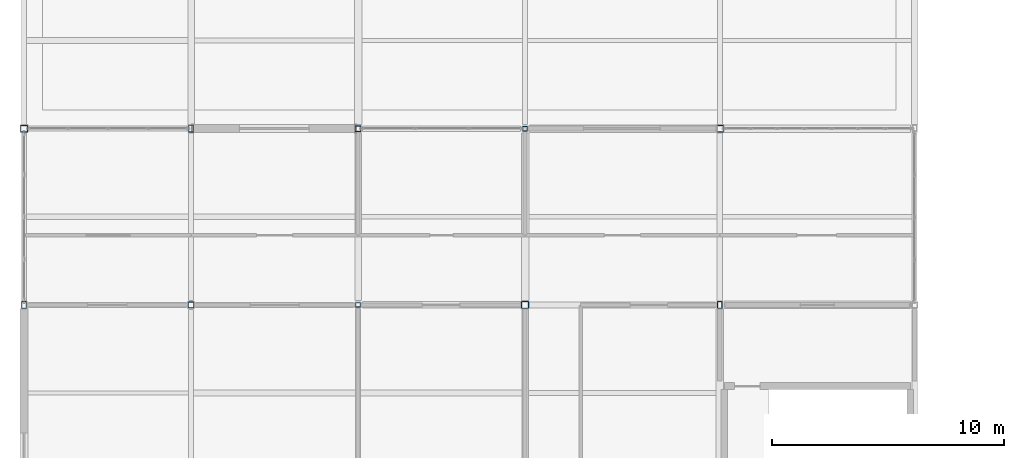
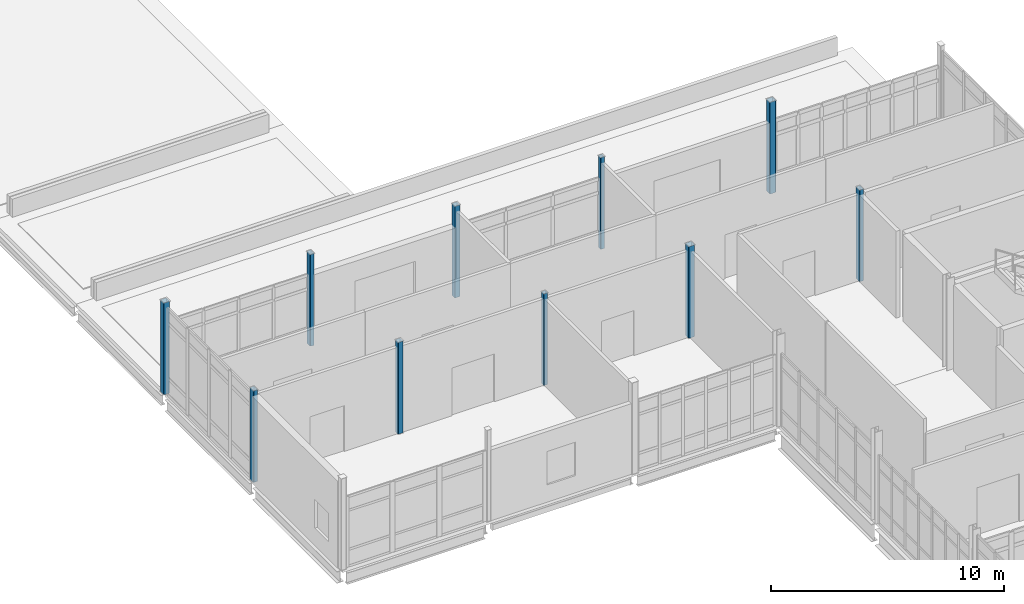
# One storey, part 3 of 186: 10 columns.
"""IFC4 building model written with IfcOpenShell, lengths in metres."""

from ifc_helpers import new_model, si_unit, direction, frame, origin, origin_2d, place, context, subcontext, project, spatial, hollow_rectangle, extrude, material, material_profile, profile_set, type_object, element, save


model = new_model("IFC4")

# Units and contexts
model_context = context("Model", 3, precision=1e-05, world=origin(), true_north=direction((0.0, 1.0)))
body_context = subcontext(model_context, "Body", "Model", "MODEL_VIEW")
ifc_project = project(units=[si_unit("LENGTHUNIT", "METRE"), si_unit("AREAUNIT", "SQUARE_METRE"), si_unit("VOLUMEUNIT", "CUBIC_METRE"), si_unit("PLANEANGLEUNIT", "RADIAN"), si_unit("MASSUNIT", "GRAM", prefix="KILO")], contexts=[model_context])

# Site, building, storey
site_placement = place(None, origin())
site = spatial("IfcSite", under=ifc_project, at=site_placement, CompositionType="ELEMENT")
building_placement = place(site_placement, origin())
building = spatial("IfcBuilding", under=site, at=building_placement, Name="Calvrana Isthmian Art Gallery", CompositionType="ELEMENT")
storey_placement = place(building_placement, frame((0.0, 0.0, 5.39990234375)))
storey = spatial("IfcBuildingStorey", under=building, at=storey_placement, Name="L01", CompositionType="ELEMENT", Elevation=5.39990234375)

# Columns
ifc_material = material(Name="Steel ASTM A500 Gr C", Category="steel")
ifc_material_profile_1 = material_profile(ifc_material, hollow_rectangle(XDim=0.203125, YDim=0.203125, WallThickness=0.0126953125, OuterFilletRadius=0.02490234375, at=origin_2d()), Name="HSS203X203X12.7")
ifc_profile_set_1 = profile_set([ifc_material_profile_1], Name="Steel ASTM A500 Gr C")
column_type_1 = type_object("IfcColumnType", Name="COL-STL-HSS203X203X12.7", PredefinedType="COLUMN", material=ifc_profile_set_1)
for number, where, z_axis, x_axis, name in (
    (1, (14.39990234375, 54.39990234375, 0.0), (0.0, 0.0, 1.0), (1.0, 0.0, 0.0), "Column 03/H L01"),
    (2, (21.60009765625, 62.0, 0.0), (0.0, 0.0, 1.0), (1.0, 0.0, 0.0), "Column 04/I L01"),
):
    element("IfcColumn", number, at=place(storey_placement, frame(where, z_axis=z_axis, x_axis=x_axis)), inside=storey, type_object=column_type_1, Name=name, PredefinedType="COLUMN", context=body_context, shape_type="SweptSolid", body=[
        extrude(hollow_rectangle(XDim=0.203125, YDim=0.203125, WallThickness=0.0126953125, OuterFilletRadius=0.02490234375, at=origin_2d()), origin(), (0.0, 0.0, 1.0), 4.800048828125),
    ])
ifc_material_profile_2 = material_profile(ifc_material, hollow_rectangle(XDim=0.25390625, YDim=0.25390625, WallThickness=0.0126953125, OuterFilletRadius=0.02490234375, at=origin_2d()), Name="HSS254X254X12.7")
ifc_profile_set_2 = profile_set([ifc_material_profile_2], Name="Steel ASTM A500 Gr C")
column_type_2 = type_object("IfcColumnType", Name="COL-STL-HSS254X254X12.7", PredefinedType="COLUMN", material=ifc_profile_set_2)
for number, where, z_axis, x_axis, name in (
    (3, (7.199951171875, 54.39990234375, 0.0), (0.0, 0.0, 1.0), (1.0, 0.0, 0.0), "Column 02/H L01"),
    (4, (14.39990234375, 62.0, 0.0), (0.0, 0.0, 1.0), (1.0, 0.0, 0.0), "Column 03/I L01"),
):
    element("IfcColumn", number, at=place(storey_placement, frame(where, z_axis=z_axis, x_axis=x_axis)), inside=storey, type_object=column_type_2, Name=name, PredefinedType="COLUMN", context=body_context, shape_type="SweptSolid", body=[
        extrude(hollow_rectangle(XDim=0.25390625, YDim=0.25390625, WallThickness=0.0126953125, OuterFilletRadius=0.02490234375, at=origin_2d()), origin(), (0.0, 0.0, 1.0), 4.800048828125),
    ])
ifc_material_profile_3 = material_profile(ifc_material, hollow_rectangle(XDim=0.203125, YDim=0.3046875, WallThickness=0.0126953125, OuterFilletRadius=0.02490234375, at=origin_2d()), Name="HSS305X203X12.7")
ifc_profile_set_3 = profile_set([ifc_material_profile_3], Name="Steel ASTM A500 Gr C")
column_type_3 = type_object("IfcColumnType", Name="COL-STL-HSS305X203X12.7", PredefinedType="COLUMN", material=ifc_profile_set_3)
for number, where, z_axis, x_axis, name in (
    (5, (0.0, 54.39990234375, 0.0), (0.0, 0.0, 1.0), (1.0, 0.0, 0.0), "Column 01/H L01"),
    (6, (7.199951171875, 62.0, 0.0), (0.0, 0.0, 1.0), (1.0, 0.0, 0.0), "Column 02/I L01"),
    (7, (30.0, 54.39990234375, 0.0), (0.0, 0.0, 1.0), (1.0, 0.0, 0.0), "Column 05/H L01"),
):
    element("IfcColumn", number, at=place(storey_placement, frame(where, z_axis=z_axis, x_axis=x_axis)), inside=storey, type_object=column_type_3, Name=name, PredefinedType="COLUMN", context=body_context, shape_type="SweptSolid", body=[
        extrude(hollow_rectangle(XDim=0.203125, YDim=0.3046875, WallThickness=0.0126953125, OuterFilletRadius=0.02490234375, at=origin_2d()), origin(), (0.0, 0.0, 1.0), 4.800048828125),
    ])
ifc_material_profile_4 = material_profile(ifc_material, hollow_rectangle(XDim=0.3046875, YDim=0.3046875, WallThickness=0.015869140625, OuterFilletRadius=0.031982421875, at=origin_2d()), Name="HSS305X305X15.9")
ifc_profile_set_4 = profile_set([ifc_material_profile_4], Name="Steel ASTM A500 Gr C")
column_type_4 = type_object("IfcColumnType", Name="COL-STL-HSS305X305X15.9", PredefinedType="COLUMN", material=ifc_profile_set_4)
for number, where, z_axis, x_axis, name in (
    (8, (0.0, 62.0, 0.0), (0.0, 0.0, 1.0), (1.0, 0.0, 0.0), "Column 01/I L01"),
    (9, (21.60009765625, 54.39990234375, 0.0), (0.0, 0.0, 1.0), (1.0, 0.0, 0.0), "Column 04/H L01"),
    (10, (30.0, 62.0, 0.0), (0.0, 0.0, 1.0), (1.0, 0.0, 0.0), "Column 05/I L01"),
):
    element("IfcColumn", number, at=place(storey_placement, frame(where, z_axis=z_axis, x_axis=x_axis)), inside=storey, type_object=column_type_4, Name=name, PredefinedType="COLUMN", context=body_context, shape_type="SweptSolid", body=[
        extrude(hollow_rectangle(XDim=0.3046875, YDim=0.3046875, WallThickness=0.015869140625, OuterFilletRadius=0.031982421875, at=origin_2d()), origin(), (0.0, 0.0, 1.0), 4.800048828125),
    ])

save(model, "model.ifc")
